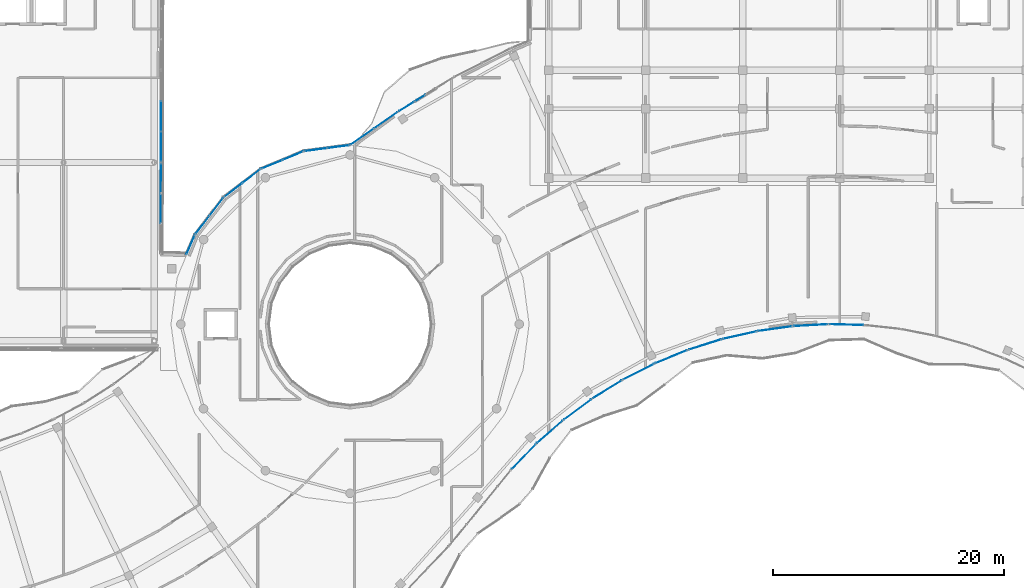
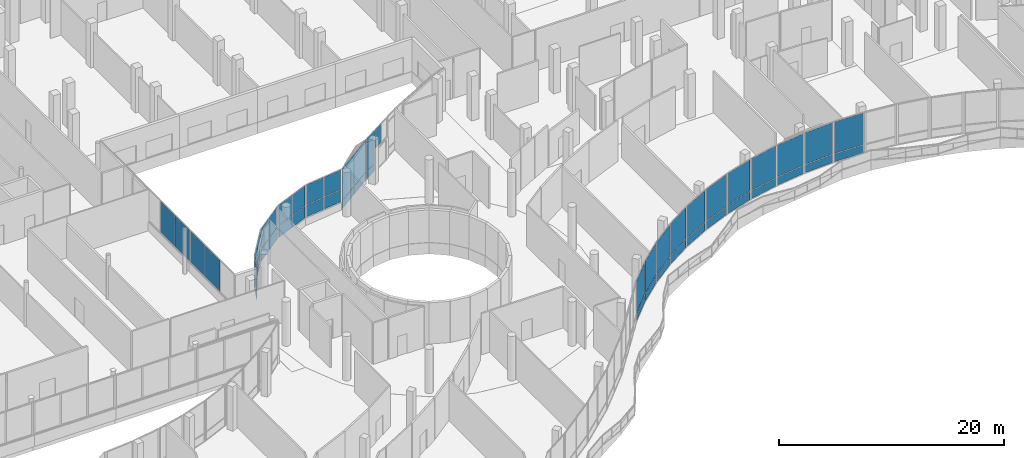
# One storey, part 121 of 155: 52 plates, 21 elements without a shape of their own.
"""IFC4 building model written with IfcOpenShell, lengths in metres."""

from ifc_helpers import new_model, si_unit, direction, frame, origin, origin_2d, place, context, subcontext, project, spatial, rectangle, extrude, material, layer, layer_set, type_object, element, aggregate, save


model = new_model("IFC4")

# Units and contexts
model_context = context("Model", 3, precision=1e-05, world=origin(), true_north=direction((0.0, 1.0)))
body_context = subcontext(model_context, "Body", "Model", "MODEL_VIEW")
ifc_project = project(units=[si_unit("LENGTHUNIT", "METRE"), si_unit("AREAUNIT", "SQUARE_METRE"), si_unit("VOLUMEUNIT", "CUBIC_METRE"), si_unit("PLANEANGLEUNIT", "RADIAN"), si_unit("MASSUNIT", "GRAM", prefix="KILO")], contexts=[model_context])

# Site, building, storey
site_placement = place(None, origin())
site = spatial("IfcSite", under=ifc_project, at=site_placement, CompositionType="ELEMENT")
building_placement = place(site_placement, origin())
building = spatial("IfcBuilding", under=site, at=building_placement, Name="Selatvlak General Hospital", CompositionType="ELEMENT")
storey_placement = place(building_placement, frame((0.0, 0.0, 10.199951171875)))
storey = spatial("IfcBuildingStorey", under=building, at=storey_placement, Name="L02", CompositionType="ELEMENT", Elevation=10.199951171875)

# Curtain wall, plates
ifc_material = material(Name="Solar-control Low-E double glazing", Category="glass")
curtain_wall_type_1 = type_object("IfcCurtainWallType", Name="CW-CW-01", PredefinedType="USERDEFINED", material=ifc_material)
curtain_wall_1_placement = place(storey_placement, origin())
curtain_wall_1 = element("IfcCurtainWall", 1, at=curtain_wall_1_placement, inside=storey, type_object=curtain_wall_type_1, Name="Glazed facade curtain wall CW-L02-0283", ObjectType="UNITISED CURTAIN WALL", PredefinedType="USERDEFINED")
ifc_layer = layer(ifc_material, 0.028076171875, Name="Solar-control Low-E double glazing", Category="glass")
ifc_layer_set = layer_set([ifc_layer], Name="Solar-control Low-E double glazing")
plate_type = type_object("IfcPlateType", Name="CWP-01", PredefinedType="CURTAIN_PANEL", material=ifc_layer_set)
plate_1_placement = place(storey_placement, frame((141.001953125, 53.9541015625, 0.06494140625), z_axis=(0.0, 0.0, 1.0), x_axis=(-0.999616451519, 0.027693859483, 0.0)))
plate_1 = element("IfcPlate", 2, at=plate_1_placement, type_object=plate_type, Name="CW-01 panel 1.1", PredefinedType="CURTAIN_PANEL", context=body_context, shape_type="SweptSolid", body=[
    extrude(rectangle(XDim=2.903076171875, YDim=0.028076171875, at=origin_2d()), origin(), (0.0, 0.0, 1.0), 0.8525390625),
])
plate_2_placement = place(storey_placement, frame((141.001953125, 53.9541015625, 0.982421875), z_axis=(0.0, 0.0, 1.0), x_axis=(-0.999616451519, 0.027693859483, 0.0)))
plate_2 = element("IfcPlate", 3, at=plate_2_placement, type_object=plate_type, Name="CW-01 panel 1.2", PredefinedType="CURTAIN_PANEL", context=body_context, shape_type="SweptSolid", body=[
    extrude(rectangle(XDim=2.903076171875, YDim=0.028076171875, at=origin_2d()), origin(), (0.0, 0.0, 1.0), 3.41259765625),
])
aggregate(curtain_wall_1, [plate_1, plate_2])

curtain_wall_type_2 = type_object("IfcCurtainWallType", Name="CW-CW-02", PredefinedType="USERDEFINED", material=ifc_material)
curtain_wall_2_placement = place(storey_placement, origin())
curtain_wall_2 = element("IfcCurtainWall", 4, at=curtain_wall_2_placement, inside=storey, type_object=curtain_wall_type_2, Name="Glazed facade curtain wall CW-L02-0284", ObjectType="UNITISED CURTAIN WALL", PredefinedType="USERDEFINED")
plate_3_placement = place(storey_placement, frame((137.89453125, 53.908447265625, 0.06494140625), z_axis=(0.0, 0.0, 1.0), x_axis=(-0.998477581672, -0.055159032792, 0.0)))
plate_3 = element("IfcPlate", 5, at=plate_3_placement, type_object=plate_type, Name="CW-02 panel 1.1", PredefinedType="CURTAIN_PANEL", context=body_context, shape_type="SweptSolid", body=[
    extrude(rectangle(XDim=2.897705078125, YDim=0.028076171875, at=origin_2d()), origin(), (0.0, 0.0, 1.0), 0.8525390625),
])
plate_4_placement = place(storey_placement, frame((137.89453125, 53.908447265625, 0.982421875), z_axis=(0.0, 0.0, 1.0), x_axis=(-0.998477581672, -0.055159032792, 0.0)))
plate_4 = element("IfcPlate", 6, at=plate_4_placement, type_object=plate_type, Name="CW-02 panel 1.2", PredefinedType="CURTAIN_PANEL", context=body_context, shape_type="SweptSolid", body=[
    extrude(rectangle(XDim=2.897705078125, YDim=0.028076171875, at=origin_2d()), origin(), (0.0, 0.0, 1.0), 3.41259765625),
])
aggregate(curtain_wall_2, [plate_3, plate_4])

curtain_wall_3_placement = place(storey_placement, origin())
curtain_wall_3 = element("IfcCurtainWall", 7, at=curtain_wall_3_placement, inside=storey, type_object=curtain_wall_type_1, Name="Glazed facade curtain wall CW-L02-0285", ObjectType="UNITISED CURTAIN WALL", PredefinedType="USERDEFINED")
plate_5_placement = place(storey_placement, frame((134.800537109375, 53.60498046875, 0.06494140625), z_axis=(0.0, 0.0, 1.0), x_axis=(-0.990373398315, -0.138421573138, 0.0)))
plate_5 = element("IfcPlate", 8, at=plate_5_placement, type_object=plate_type, Name="CW-01 panel 1.1", PredefinedType="CURTAIN_PANEL", context=body_context, shape_type="SweptSolid", body=[
    extrude(rectangle(XDim=2.904296875, YDim=0.028076171875, at=origin_2d()), origin(), (0.0, 0.0, 1.0), 0.8525390625),
])
plate_6_placement = place(storey_placement, frame((134.800537109375, 53.60498046875, 0.982421875), z_axis=(0.0, 0.0, 1.0), x_axis=(-0.990373398315, -0.138421573138, 0.0)))
plate_6 = element("IfcPlate", 9, at=plate_6_placement, type_object=plate_type, Name="CW-01 panel 1.2", PredefinedType="CURTAIN_PANEL", context=body_context, shape_type="SweptSolid", body=[
    extrude(rectangle(XDim=2.904296875, YDim=0.028076171875, at=origin_2d()), origin(), (0.0, 0.0, 1.0), 3.41259765625),
])
aggregate(curtain_wall_3, [plate_5, plate_6])

curtain_wall_4_placement = place(storey_placement, origin())
curtain_wall_4 = element("IfcCurtainWall", 10, at=curtain_wall_4_placement, inside=storey, type_object=curtain_wall_type_2, Name="Glazed facade curtain wall CW-L02-0286", ObjectType="UNITISED CURTAIN WALL", PredefinedType="USERDEFINED")
plate_7_placement = place(storey_placement, frame((131.739990234375, 53.0458984375, 0.06494140625), z_axis=(0.0, 0.0, 1.0), x_axis=(-0.975577961684, -0.219653455874, 0.0)))
plate_7 = element("IfcPlate", 11, at=plate_7_placement, type_object=plate_type, Name="CW-02 panel 1.1", PredefinedType="CURTAIN_PANEL", context=body_context, shape_type="SweptSolid", body=[
    extrude(rectangle(XDim=2.902099609375, YDim=0.028076171875, at=origin_2d()), origin(), (0.0, 0.0, 1.0), 0.8525390625),
])
plate_8_placement = place(storey_placement, frame((131.739990234375, 53.0458984375, 0.982421875), z_axis=(0.0, 0.0, 1.0), x_axis=(-0.975577961684, -0.219653455874, 0.0)))
plate_8 = element("IfcPlate", 12, at=plate_8_placement, type_object=plate_type, Name="CW-02 panel 1.2", PredefinedType="CURTAIN_PANEL", context=body_context, shape_type="SweptSolid", body=[
    extrude(rectangle(XDim=2.902099609375, YDim=0.028076171875, at=origin_2d()), origin(), (0.0, 0.0, 1.0), 3.41259765625),
])
aggregate(curtain_wall_4, [plate_7, plate_8])

curtain_wall_5_placement = place(storey_placement, origin())
curtain_wall_5 = element("IfcCurtainWall", 13, at=curtain_wall_5_placement, inside=storey, type_object=curtain_wall_type_1, Name="Glazed facade curtain wall CW-L02-0287", ObjectType="UNITISED CURTAIN WALL", PredefinedType="USERDEFINED")
plate_9_placement = place(storey_placement, frame((128.738525390625, 52.236083984375, 0.06494140625), z_axis=(0.0, 0.0, 1.0), x_axis=(-0.953861500511, -0.300246961422, 0.0)))
plate_9 = element("IfcPlate", 14, at=plate_9_placement, type_object=plate_type, Name="CW-01 panel 1.1", PredefinedType="CURTAIN_PANEL", context=body_context, shape_type="SweptSolid", body=[
    extrude(rectangle(XDim=2.90087890625, YDim=0.028076171875, at=origin_2d()), origin(), (0.0, 0.0, 1.0), 0.8525390625),
])
plate_10_placement = place(storey_placement, frame((128.738525390625, 52.236083984375, 0.982421875), z_axis=(0.0, 0.0, 1.0), x_axis=(-0.953861500511, -0.300246961422, 0.0)))
plate_10 = element("IfcPlate", 15, at=plate_10_placement, type_object=plate_type, Name="CW-01 panel 1.2", PredefinedType="CURTAIN_PANEL", context=body_context, shape_type="SweptSolid", body=[
    extrude(rectangle(XDim=2.90087890625, YDim=0.028076171875, at=origin_2d()), origin(), (0.0, 0.0, 1.0), 3.41259765625),
])
aggregate(curtain_wall_5, [plate_9, plate_10])

curtain_wall_6_placement = place(storey_placement, origin())
curtain_wall_6 = element("IfcCurtainWall", 16, at=curtain_wall_6_placement, inside=storey, type_object=curtain_wall_type_2, Name="Glazed facade curtain wall CW-L02-0288", ObjectType="UNITISED CURTAIN WALL", PredefinedType="USERDEFINED")
plate_11_placement = place(storey_placement, frame((125.8154296875, 51.178955078125, 0.06494140625), z_axis=(0.0, 0.0, 1.0), x_axis=(-0.925814669594, -0.377977773903, 0.0)))
plate_11 = element("IfcPlate", 17, at=plate_11_placement, type_object=plate_type, Name="CW-02 panel 1.1", PredefinedType="CURTAIN_PANEL", context=body_context, shape_type="SweptSolid", body=[
    extrude(rectangle(XDim=2.90185546875, YDim=0.028076171875, at=origin_2d()), origin(), (0.0, 0.0, 1.0), 0.8525390625),
])
plate_12_placement = place(storey_placement, frame((125.8154296875, 51.178955078125, 0.982421875), z_axis=(0.0, 0.0, 1.0), x_axis=(-0.925814669594, -0.377977773903, 0.0)))
plate_12 = element("IfcPlate", 18, at=plate_12_placement, type_object=plate_type, Name="CW-02 panel 1.2", PredefinedType="CURTAIN_PANEL", context=body_context, shape_type="SweptSolid", body=[
    extrude(rectangle(XDim=2.90185546875, YDim=0.028076171875, at=origin_2d()), origin(), (0.0, 0.0, 1.0), 3.41259765625),
])
aggregate(curtain_wall_6, [plate_11, plate_12])

curtain_wall_7_placement = place(storey_placement, origin())
curtain_wall_7 = element("IfcCurtainWall", 19, at=curtain_wall_7_placement, inside=storey, type_object=curtain_wall_type_1, Name="Glazed facade curtain wall CW-L02-0289", ObjectType="UNITISED CURTAIN WALL", PredefinedType="USERDEFINED")
plate_13_placement = place(storey_placement, frame((122.987548828125, 49.882568359375, 0.06494140625), z_axis=(0.0, 0.0, 1.0), x_axis=(-0.89144154077, -0.453135718509, 0.0)))
plate_13 = element("IfcPlate", 20, at=plate_13_placement, type_object=plate_type, Name="CW-01 panel 1.1", PredefinedType="CURTAIN_PANEL", context=body_context, shape_type="SweptSolid", body=[
    extrude(rectangle(XDim=2.904296875, YDim=0.028076171875, at=origin_2d()), origin(), (0.0, 0.0, 1.0), 0.8525390625),
])
plate_14_placement = place(storey_placement, frame((122.987548828125, 49.882568359375, 0.982421875), z_axis=(0.0, 0.0, 1.0), x_axis=(-0.89144154077, -0.453135718509, 0.0)))
plate_14 = element("IfcPlate", 21, at=plate_14_placement, type_object=plate_type, Name="CW-01 panel 1.2", PredefinedType="CURTAIN_PANEL", context=body_context, shape_type="SweptSolid", body=[
    extrude(rectangle(XDim=2.904296875, YDim=0.028076171875, at=origin_2d()), origin(), (0.0, 0.0, 1.0), 3.41259765625),
])
aggregate(curtain_wall_7, [plate_13, plate_14])

curtain_wall_8_placement = place(storey_placement, origin())
curtain_wall_8 = element("IfcCurtainWall", 22, at=curtain_wall_8_placement, inside=storey, type_object=curtain_wall_type_2, Name="Glazed facade curtain wall CW-L02-0290", ObjectType="UNITISED CURTAIN WALL", PredefinedType="USERDEFINED")
plate_15_placement = place(storey_placement, frame((120.277587890625, 48.35693359375, 0.06494140625), z_axis=(0.0, 0.0, 1.0), x_axis=(-0.850454986641, -0.526047826435, 0.0)))
plate_15 = element("IfcPlate", 23, at=plate_15_placement, type_object=plate_type, Name="CW-02 panel 1.1", PredefinedType="CURTAIN_PANEL", context=body_context, shape_type="SweptSolid", body=[
    extrude(rectangle(XDim=2.900146484375, YDim=0.028076171875, at=origin_2d()), origin(), (0.0, 0.0, 1.0), 0.8525390625),
])
plate_16_placement = place(storey_placement, frame((120.277587890625, 48.35693359375, 0.982421875), z_axis=(0.0, 0.0, 1.0), x_axis=(-0.850454986641, -0.526047826435, 0.0)))
plate_16 = element("IfcPlate", 24, at=plate_16_placement, type_object=plate_type, Name="CW-02 panel 1.2", PredefinedType="CURTAIN_PANEL", context=body_context, shape_type="SweptSolid", body=[
    extrude(rectangle(XDim=2.900146484375, YDim=0.028076171875, at=origin_2d()), origin(), (0.0, 0.0, 1.0), 3.41259765625),
])
aggregate(curtain_wall_8, [plate_15, plate_16])

curtain_wall_9_placement = place(storey_placement, origin())
curtain_wall_9 = element("IfcCurtainWall", 25, at=curtain_wall_9_placement, inside=storey, type_object=curtain_wall_type_1, Name="Glazed facade curtain wall CW-L02-0291", ObjectType="UNITISED CURTAIN WALL", PredefinedType="USERDEFINED")
plate_17_placement = place(storey_placement, frame((117.705078125, 46.611572265625, 0.06494140625), z_axis=(0.0, 0.0, 1.0), x_axis=(-0.804018477045, -0.594604312607, 0.0)))
plate_17 = element("IfcPlate", 26, at=plate_17_placement, type_object=plate_type, Name="CW-01 panel 1.1", PredefinedType="CURTAIN_PANEL", context=body_context, shape_type="SweptSolid", body=[
    extrude(rectangle(XDim=2.90234375, YDim=0.028076171875, at=origin_2d()), origin(), (0.0, 0.0, 1.0), 0.8525390625),
])
plate_18_placement = place(storey_placement, frame((117.705078125, 46.611572265625, 0.982421875), z_axis=(0.0, 0.0, 1.0), x_axis=(-0.804018477045, -0.594604312607, 0.0)))
plate_18 = element("IfcPlate", 27, at=plate_18_placement, type_object=plate_type, Name="CW-01 panel 1.2", PredefinedType="CURTAIN_PANEL", context=body_context, shape_type="SweptSolid", body=[
    extrude(rectangle(XDim=2.90234375, YDim=0.028076171875, at=origin_2d()), origin(), (0.0, 0.0, 1.0), 3.41259765625),
])
aggregate(curtain_wall_9, [plate_17, plate_18])

curtain_wall_10_placement = place(storey_placement, origin())
curtain_wall_10 = element("IfcCurtainWall", 28, at=curtain_wall_10_placement, inside=storey, type_object=curtain_wall_type_2, Name="Glazed facade curtain wall CW-L02-0292", ObjectType="UNITISED CURTAIN WALL", PredefinedType="USERDEFINED")
plate_19_placement = place(storey_placement, frame((115.284912109375, 44.659423828125, 0.06494140625), z_axis=(0.0, 0.0, 1.0), x_axis=(-0.752249587647, -0.658878257256, 0.0)))
plate_19 = element("IfcPlate", 29, at=plate_19_placement, type_object=plate_type, Name="CW-02 panel 1.1", PredefinedType="CURTAIN_PANEL", context=body_context, shape_type="SweptSolid", body=[
    extrude(rectangle(XDim=2.90087890625, YDim=0.028076171875, at=origin_2d()), origin(), (0.0, 0.0, 1.0), 0.8525390625),
])
plate_20_placement = place(storey_placement, frame((115.284912109375, 44.659423828125, 0.982421875), z_axis=(0.0, 0.0, 1.0), x_axis=(-0.752249587647, -0.658878257256, 0.0)))
plate_20 = element("IfcPlate", 30, at=plate_20_placement, type_object=plate_type, Name="CW-02 panel 1.2", PredefinedType="CURTAIN_PANEL", context=body_context, shape_type="SweptSolid", body=[
    extrude(rectangle(XDim=2.90087890625, YDim=0.028076171875, at=origin_2d()), origin(), (0.0, 0.0, 1.0), 3.41259765625),
])
aggregate(curtain_wall_10, [plate_19, plate_20])

curtain_wall_11_placement = place(storey_placement, origin())
curtain_wall_11 = element("IfcCurtainWall", 31, at=curtain_wall_11_placement, inside=storey, type_object=curtain_wall_type_1, Name="Glazed facade curtain wall CW-L02-0293", ObjectType="UNITISED CURTAIN WALL", PredefinedType="USERDEFINED")
plate_21_placement = place(storey_placement, frame((113.034912109375, 42.512939453125, 0.06494140625), z_axis=(0.0, 0.0, 1.0), x_axis=(-0.694806241805, -0.719196973261, 0.0)))
plate_21 = element("IfcPlate", 32, at=plate_21_placement, type_object=plate_type, Name="CW-01 panel 1.1", PredefinedType="CURTAIN_PANEL", context=body_context, shape_type="SweptSolid", body=[
    extrude(rectangle(XDim=2.904052734375, YDim=0.028076171875, at=origin_2d()), origin(), (0.0, 0.0, 1.0), 0.8525390625),
])
plate_22_placement = place(storey_placement, frame((113.034912109375, 42.512939453125, 0.982421875), z_axis=(0.0, 0.0, 1.0), x_axis=(-0.694806241805, -0.719196973261, 0.0)))
plate_22 = element("IfcPlate", 33, at=plate_22_placement, type_object=plate_type, Name="CW-01 panel 1.2", PredefinedType="CURTAIN_PANEL", context=body_context, shape_type="SweptSolid", body=[
    extrude(rectangle(XDim=2.904052734375, YDim=0.028076171875, at=origin_2d()), origin(), (0.0, 0.0, 1.0), 3.41259765625),
])
aggregate(curtain_wall_11, [plate_21, plate_22])

curtain_wall_type_3 = type_object("IfcCurtainWallType", Name="CW-CW-05", PredefinedType="USERDEFINED", material=ifc_material)
curtain_wall_12_placement = place(storey_placement, origin())
curtain_wall_12 = element("IfcCurtainWall", 34, at=curtain_wall_12_placement, inside=storey, type_object=curtain_wall_type_3, Name="Glazed facade curtain wall CW-L02-0346", ObjectType="STICK GLAZING WALL", PredefinedType="USERDEFINED")
plate_23_placement = place(storey_placement, frame((84.194091796875, 60.87451171875, 0.9150390625), z_axis=(0.0, 0.0, 1.0), x_axis=(0.400399817754, 0.916340540379, 0.0)))
plate_23 = element("IfcPlate", 35, at=plate_23_placement, type_object=plate_type, Name="CW-05 panel 1.1", PredefinedType="CURTAIN_PANEL", context=body_context, shape_type="SweptSolid", body=[
    extrude(rectangle(XDim=1.748046875, YDim=0.028076171875, at=origin_2d()), origin(), (0.0, 0.0, 1.0), 1.282470703125),
])
plate_24_placement = place(storey_placement, frame((84.194091796875, 60.87451171875, 2.2626953125), z_axis=(0.0, 0.0, 1.0), x_axis=(0.400399817754, 0.916340540379, 0.0)))
plate_24 = element("IfcPlate", 36, at=plate_24_placement, type_object=plate_type, Name="CW-05 panel 1.2", PredefinedType="CURTAIN_PANEL", context=body_context, shape_type="SweptSolid", body=[
    extrude(rectangle(XDim=1.748046875, YDim=0.028076171875, at=origin_2d()), origin(), (0.0, 0.0, 1.0), 2.132568359375),
])
aggregate(curtain_wall_12, [plate_23, plate_24])

curtain_wall_type_4 = type_object("IfcCurtainWallType", Name="CW-CW-04", PredefinedType="USERDEFINED", material=ifc_material)
curtain_wall_13_placement = place(storey_placement, origin())
curtain_wall_13 = element("IfcCurtainWall", 37, at=curtain_wall_13_placement, inside=storey, type_object=curtain_wall_type_4, Name="Glazed facade curtain wall CW-L02-0347", ObjectType="STICK GLAZING WALL", PredefinedType="USERDEFINED")
plate_25_placement = place(storey_placement, frame((85.228759765625, 62.600341796875, 0.9150390625), z_axis=(0.0, 0.0, 1.0), x_axis=(0.608918417743, 0.793232853917, 0.0)))
plate_25 = element("IfcPlate", 38, at=plate_25_placement, type_object=plate_type, Name="CW-04 panel 1.1", PredefinedType="CURTAIN_PANEL", context=body_context, shape_type="SweptSolid", body=[
    extrude(rectangle(XDim=1.885498046875, YDim=0.028076171875, at=origin_2d()), origin(), (0.0, 0.0, 1.0), 1.282470703125),
])
plate_26_placement = place(storey_placement, frame((85.228759765625, 62.600341796875, 2.2626953125), z_axis=(0.0, 0.0, 1.0), x_axis=(0.608918417743, 0.793232853917, 0.0)))
plate_26 = element("IfcPlate", 39, at=plate_26_placement, type_object=plate_type, Name="CW-04 panel 1.2", PredefinedType="CURTAIN_PANEL", context=body_context, shape_type="SweptSolid", body=[
    extrude(rectangle(XDim=1.885498046875, YDim=0.028076171875, at=origin_2d()), origin(), (0.0, 0.0, 1.0), 2.132568359375),
])
plate_27_placement = place(storey_placement, frame((86.416259765625, 64.147705078125, 0.9150390625), z_axis=(0.0, 0.0, 1.0), x_axis=(0.608918417743, 0.793232853917, 0.0)))
plate_27 = element("IfcPlate", 40, at=plate_27_placement, type_object=plate_type, Name="CW-04 panel 2.1", PredefinedType="CURTAIN_PANEL", context=body_context, shape_type="SweptSolid", body=[
    extrude(rectangle(XDim=1.885498046875, YDim=0.028076171875, at=origin_2d()), origin(), (0.0, 0.0, 1.0), 1.282470703125),
])
plate_28_placement = place(storey_placement, frame((86.416259765625, 64.147705078125, 2.2626953125), z_axis=(0.0, 0.0, 1.0), x_axis=(0.608918417743, 0.793232853917, 0.0)))
plate_28 = element("IfcPlate", 41, at=plate_28_placement, type_object=plate_type, Name="CW-04 panel 2.2", PredefinedType="CURTAIN_PANEL", context=body_context, shape_type="SweptSolid", body=[
    extrude(rectangle(XDim=1.885498046875, YDim=0.028076171875, at=origin_2d()), origin(), (0.0, 0.0, 1.0), 2.132568359375),
])
aggregate(curtain_wall_13, [plate_25, plate_26, plate_27, plate_28])

curtain_wall_14_placement = place(storey_placement, origin())
curtain_wall_14 = element("IfcCurtainWall", 42, at=curtain_wall_14_placement, inside=storey, type_object=curtain_wall_type_3, Name="Glazed facade curtain wall CW-L02-0348", ObjectType="STICK GLAZING WALL", PredefinedType="USERDEFINED")
plate_29_placement = place(storey_placement, frame((87.890380859375, 65.611572265625, 0.9150390625), z_axis=(0.0, 0.0, 1.0), x_axis=(0.793232853917, 0.608918417743, 0.0)))
plate_29 = element("IfcPlate", 43, at=plate_29_placement, type_object=plate_type, Name="CW-05 panel 1.1", PredefinedType="CURTAIN_PANEL", context=body_context, shape_type="SweptSolid", body=[
    extrude(rectangle(XDim=1.885498046875, YDim=0.028076171875, at=origin_2d()), origin(), (0.0, 0.0, 1.0), 1.282470703125),
])
plate_30_placement = place(storey_placement, frame((87.890380859375, 65.611572265625, 2.2626953125), z_axis=(0.0, 0.0, 1.0), x_axis=(0.793232853917, 0.608918417743, 0.0)))
plate_30 = element("IfcPlate", 44, at=plate_30_placement, type_object=plate_type, Name="CW-05 panel 1.2", PredefinedType="CURTAIN_PANEL", context=body_context, shape_type="SweptSolid", body=[
    extrude(rectangle(XDim=1.885498046875, YDim=0.028076171875, at=origin_2d()), origin(), (0.0, 0.0, 1.0), 2.132568359375),
])
plate_31_placement = place(storey_placement, frame((89.4375, 66.79931640625, 0.9150390625), z_axis=(0.0, 0.0, 1.0), x_axis=(0.793232853917, 0.608918417743, 0.0)))
plate_31 = element("IfcPlate", 45, at=plate_31_placement, type_object=plate_type, Name="CW-05 panel 2.1", PredefinedType="CURTAIN_PANEL", context=body_context, shape_type="SweptSolid", body=[
    extrude(rectangle(XDim=1.885498046875, YDim=0.028076171875, at=origin_2d()), origin(), (0.0, 0.0, 1.0), 1.282470703125),
])
plate_32_placement = place(storey_placement, frame((89.4375, 66.79931640625, 2.2626953125), z_axis=(0.0, 0.0, 1.0), x_axis=(0.793232853917, 0.608918417743, 0.0)))
plate_32 = element("IfcPlate", 46, at=plate_32_placement, type_object=plate_type, Name="CW-05 panel 2.2", PredefinedType="CURTAIN_PANEL", context=body_context, shape_type="SweptSolid", body=[
    extrude(rectangle(XDim=1.885498046875, YDim=0.028076171875, at=origin_2d()), origin(), (0.0, 0.0, 1.0), 2.132568359375),
])
aggregate(curtain_wall_14, [plate_29, plate_30, plate_31, plate_32])

curtain_wall_15_placement = place(storey_placement, origin())
curtain_wall_15 = element("IfcCurtainWall", 47, at=curtain_wall_15_placement, inside=storey, type_object=curtain_wall_type_4, Name="Glazed facade curtain wall CW-L02-0349", ObjectType="STICK GLAZING WALL", PredefinedType="USERDEFINED")
plate_33_placement = place(storey_placement, frame((91.239990234375, 67.832763671875, 0.9150390625), z_axis=(0.0, 0.0, 1.0), x_axis=(0.923850868847, 0.382752625243, 0.0)))
plate_33 = element("IfcPlate", 48, at=plate_33_placement, type_object=plate_type, Name="CW-04 panel 1.1", PredefinedType="CURTAIN_PANEL", context=body_context, shape_type="SweptSolid", body=[
    extrude(rectangle(XDim=1.885498046875, YDim=0.028076171875, at=origin_2d()), origin(), (0.0, 0.0, 1.0), 1.282470703125),
])
plate_34_placement = place(storey_placement, frame((91.239990234375, 67.832763671875, 2.2626953125), z_axis=(0.0, 0.0, 1.0), x_axis=(0.923850868847, 0.382752625243, 0.0)))
plate_34 = element("IfcPlate", 49, at=plate_34_placement, type_object=plate_type, Name="CW-04 panel 1.2", PredefinedType="CURTAIN_PANEL", context=body_context, shape_type="SweptSolid", body=[
    extrude(rectangle(XDim=1.885498046875, YDim=0.028076171875, at=origin_2d()), origin(), (0.0, 0.0, 1.0), 2.132568359375),
])
plate_35_placement = place(storey_placement, frame((93.0419921875, 68.579345703125, 0.9150390625), z_axis=(0.0, 0.0, 1.0), x_axis=(0.923850868847, 0.382752625243, 0.0)))
plate_35 = element("IfcPlate", 50, at=plate_35_placement, type_object=plate_type, Name="CW-04 panel 2.1", PredefinedType="CURTAIN_PANEL", context=body_context, shape_type="SweptSolid", body=[
    extrude(rectangle(XDim=1.885498046875, YDim=0.028076171875, at=origin_2d()), origin(), (0.0, 0.0, 1.0), 1.282470703125),
])
plate_36_placement = place(storey_placement, frame((93.0419921875, 68.579345703125, 2.2626953125), z_axis=(0.0, 0.0, 1.0), x_axis=(0.923850868847, 0.382752625243, 0.0)))
plate_36 = element("IfcPlate", 51, at=plate_36_placement, type_object=plate_type, Name="CW-04 panel 2.2", PredefinedType="CURTAIN_PANEL", context=body_context, shape_type="SweptSolid", body=[
    extrude(rectangle(XDim=1.885498046875, YDim=0.028076171875, at=origin_2d()), origin(), (0.0, 0.0, 1.0), 2.132568359375),
])
aggregate(curtain_wall_15, [plate_33, plate_34, plate_35, plate_36])

curtain_wall_16_placement = place(storey_placement, origin())
curtain_wall_16 = element("IfcCurtainWall", 52, at=curtain_wall_16_placement, inside=storey, type_object=curtain_wall_type_3, Name="Glazed facade curtain wall CW-L02-0350", ObjectType="STICK GLAZING WALL", PredefinedType="USERDEFINED")
plate_37_placement = place(storey_placement, frame((95.051025390625, 69.111572265625, 0.9150390625), z_axis=(0.0, 0.0, 1.0), x_axis=(0.991433685916, 0.130611050186, 0.0)))
plate_37 = element("IfcPlate", 53, at=plate_37_placement, type_object=plate_type, Name="CW-05 panel 1.1", PredefinedType="CURTAIN_PANEL", context=body_context, shape_type="SweptSolid", body=[
    extrude(rectangle(XDim=1.885498046875, YDim=0.028076171875, at=origin_2d()), origin(), (0.0, 0.0, 1.0), 1.282470703125),
])
plate_38_placement = place(storey_placement, frame((95.051025390625, 69.111572265625, 2.2626953125), z_axis=(0.0, 0.0, 1.0), x_axis=(0.991433685916, 0.130611050186, 0.0)))
plate_38 = element("IfcPlate", 54, at=plate_38_placement, type_object=plate_type, Name="CW-05 panel 1.2", PredefinedType="CURTAIN_PANEL", context=body_context, shape_type="SweptSolid", body=[
    extrude(rectangle(XDim=1.885498046875, YDim=0.028076171875, at=origin_2d()), origin(), (0.0, 0.0, 1.0), 2.132568359375),
])
plate_39_placement = place(storey_placement, frame((96.98486328125, 69.366455078125, 0.9150390625), z_axis=(0.0, 0.0, 1.0), x_axis=(0.991433685916, 0.130611050186, 0.0)))
plate_39 = element("IfcPlate", 55, at=plate_39_placement, type_object=plate_type, Name="CW-05 panel 2.1", PredefinedType="CURTAIN_PANEL", context=body_context, shape_type="SweptSolid", body=[
    extrude(rectangle(XDim=1.885498046875, YDim=0.028076171875, at=origin_2d()), origin(), (0.0, 0.0, 1.0), 1.282470703125),
])
plate_40_placement = place(storey_placement, frame((96.98486328125, 69.366455078125, 2.2626953125), z_axis=(0.0, 0.0, 1.0), x_axis=(0.991433685916, 0.130611050186, 0.0)))
plate_40 = element("IfcPlate", 56, at=plate_40_placement, type_object=plate_type, Name="CW-05 panel 2.2", PredefinedType="CURTAIN_PANEL", context=body_context, shape_type="SweptSolid", body=[
    extrude(rectangle(XDim=1.885498046875, YDim=0.028076171875, at=origin_2d()), origin(), (0.0, 0.0, 1.0), 2.132568359375),
])
aggregate(curtain_wall_16, [plate_37, plate_38, plate_39, plate_40])

curtain_wall_17_placement = place(storey_placement, origin())
curtain_wall_17 = element("IfcCurtainWall", 57, at=curtain_wall_17_placement, inside=storey, type_object=curtain_wall_type_1, Name="Glazed facade curtain wall CW-L02-0351", ObjectType="UNITISED CURTAIN WALL", PredefinedType="USERDEFINED")
plate_41_placement = place(storey_placement, frame((99.056396484375, 70.236328125, 0.06494140625), z_axis=(0.0, 0.0, 1.0), x_axis=(0.820872775723, 0.571111097841, 0.0)))
plate_41 = element("IfcPlate", 58, at=plate_41_placement, type_object=plate_type, Name="CW-01 panel 1.1", PredefinedType="CURTAIN_PANEL", context=body_context, shape_type="SweptSolid", body=[
    extrude(rectangle(XDim=2.4169921875, YDim=0.028076171875, at=origin_2d()), origin(), (0.0, 0.0, 1.0), 0.8525390625),
])
plate_42_placement = place(storey_placement, frame((99.056396484375, 70.236328125, 0.982421875), z_axis=(0.0, 0.0, 1.0), x_axis=(0.820872775723, 0.571111097841, 0.0)))
plate_42 = element("IfcPlate", 59, at=plate_42_placement, type_object=plate_type, Name="CW-01 panel 1.2", PredefinedType="CURTAIN_PANEL", context=body_context, shape_type="SweptSolid", body=[
    extrude(rectangle(XDim=2.4169921875, YDim=0.028076171875, at=origin_2d()), origin(), (0.0, 0.0, 1.0), 3.41259765625),
])
plate_43_placement = place(storey_placement, frame((101.09375, 71.65380859375, 0.06494140625), z_axis=(0.0, 0.0, 1.0), x_axis=(0.820872775723, 0.571111097841, 0.0)))
plate_43 = element("IfcPlate", 60, at=plate_43_placement, type_object=plate_type, Name="CW-01 panel 2.1", PredefinedType="CURTAIN_PANEL", context=body_context, shape_type="SweptSolid", body=[
    extrude(rectangle(XDim=2.4169921875, YDim=0.028076171875, at=origin_2d()), origin(), (0.0, 0.0, 1.0), 0.8525390625),
])
plate_44_placement = place(storey_placement, frame((101.09375, 71.65380859375, 0.982421875), z_axis=(0.0, 0.0, 1.0), x_axis=(0.820872775723, 0.571111097841, 0.0)))
plate_44 = element("IfcPlate", 61, at=plate_44_placement, type_object=plate_type, Name="CW-01 panel 2.2", PredefinedType="CURTAIN_PANEL", context=body_context, shape_type="SweptSolid", body=[
    extrude(rectangle(XDim=2.4169921875, YDim=0.028076171875, at=origin_2d()), origin(), (0.0, 0.0, 1.0), 3.41259765625),
])
aggregate(curtain_wall_17, [plate_41, plate_42, plate_43, plate_44])

# Curtain wall, plate
curtain_wall_18_placement = place(storey_placement, origin())
curtain_wall_18 = element("IfcCurtainWall", 62, at=curtain_wall_18_placement, inside=storey, type_object=curtain_wall_type_2, Name="Glazed facade curtain wall CW-L02-0352", ObjectType="UNITISED CURTAIN WALL", PredefinedType="USERDEFINED")
plate_45_placement = place(storey_placement, frame((104.0654296875, 73.572998046875, 2.38525390625), z_axis=(0.0, 0.0, 1.0), x_axis=(0.850415359562, 0.526111885649, 0.0)))
plate_45 = element("IfcPlate", 63, at=plate_45_placement, type_object=plate_type, Name="CW-02 panel 1.1", PredefinedType="CURTAIN_PANEL", context=body_context, shape_type="SweptSolid", body=[
    extrude(rectangle(XDim=1.037353515625, YDim=0.028076171875, at=origin_2d()), origin(), (0.0, 0.0, 1.0), 2.010009765625),
])
aggregate(curtain_wall_18, [plate_45])

# Curtain wall, plates
curtain_wall_19_placement = place(storey_placement, origin())
curtain_wall_19 = element("IfcCurtainWall", 64, at=curtain_wall_19_placement, inside=storey, type_object=curtain_wall_type_1, Name="Glazed facade curtain wall CW-L02-0353", ObjectType="UNITISED CURTAIN WALL", PredefinedType="USERDEFINED")
plate_46_placement = place(storey_placement, frame((102.875, 72.8369140625, 0.06494140625), z_axis=(0.0, 0.0, 1.0), x_axis=(0.850563504569, 0.525872346387, 0.0)))
plate_46 = element("IfcPlate", 65, at=plate_46_placement, type_object=plate_type, Name="CW-01 panel 1.1", PredefinedType="CURTAIN_PANEL", context=body_context, shape_type="SweptSolid", body=[
    extrude(rectangle(XDim=1.440673828125, YDim=0.028076171875, at=origin_2d()), origin(), (0.0, 0.0, 1.0), 0.802490234375),
])
plate_47_placement = place(storey_placement, frame((102.875, 72.8369140625, 0.9326171875), z_axis=(0.0, 0.0, 1.0), x_axis=(0.850563504569, 0.525872346387, 0.0)))
plate_47 = element("IfcPlate", 66, at=plate_47_placement, type_object=plate_type, Name="CW-01 panel 1.2", PredefinedType="CURTAIN_PANEL", context=body_context, shape_type="SweptSolid", body=[
    extrude(rectangle(XDim=1.440673828125, YDim=0.028076171875, at=origin_2d()), origin(), (0.0, 0.0, 1.0), 2.844970703125),
])
plate_48_placement = place(storey_placement, frame((102.875, 72.8369140625, 3.8427734375), z_axis=(0.0, 0.0, 1.0), x_axis=(0.850563504569, 0.525872346387, 0.0)))
plate_48 = element("IfcPlate", 67, at=plate_48_placement, type_object=plate_type, Name="CW-01 panel 1.3", PredefinedType="CURTAIN_PANEL", context=body_context, shape_type="SweptSolid", body=[
    extrude(rectangle(XDim=1.440673828125, YDim=0.028076171875, at=origin_2d()), origin(), (0.0, 0.0, 1.0), 0.552490234375),
])
aggregate(curtain_wall_19, [plate_46, plate_47, plate_48])

curtain_wall_20_placement = place(storey_placement, origin())
curtain_wall_20 = element("IfcCurtainWall", 68, at=curtain_wall_20_placement, inside=storey, type_object=curtain_wall_type_1, Name="Glazed facade curtain wall CW-L02-0358", ObjectType="UNITISED CURTAIN WALL", PredefinedType="USERDEFINED")
plate_49_placement = place(storey_placement, frame((81.6298828125, 72.0048828125, 1.0048828125), z_axis=(0.0, 0.0, 1.0), x_axis=(-0.002531637448, -0.999996795401, 0.0)))
plate_49 = element("IfcPlate", 69, at=plate_49_placement, type_object=plate_type, Name="CW-01 panel 2.1", PredefinedType="CURTAIN_PANEL", context=body_context, shape_type="SweptSolid", body=[
    extrude(rectangle(XDim=2.568359375, YDim=0.028076171875, at=origin_2d()), origin(), (0.0, 0.0, 1.0), 3.389892578125),
])
plate_50_placement = place(storey_placement, frame((81.623291015625, 69.387939453125, 1.0048828125), z_axis=(0.0, 0.0, 1.0), x_axis=(-0.002531637448, -0.999996795401, 0.0)))
plate_50 = element("IfcPlate", 70, at=plate_50_placement, type_object=plate_type, Name="CW-01 panel 3.1", PredefinedType="CURTAIN_PANEL", context=body_context, shape_type="SweptSolid", body=[
    extrude(rectangle(XDim=2.535888671875, YDim=0.028076171875, at=origin_2d()), origin(), (0.0, 0.0, 1.0), 3.389892578125),
])
aggregate(curtain_wall_20, [plate_49, plate_50])

curtain_wall_21_placement = place(storey_placement, origin())
curtain_wall_21 = element("IfcCurtainWall", 71, at=curtain_wall_21_placement, inside=storey, type_object=curtain_wall_type_2, Name="Glazed facade curtain wall CW-L02-0359", ObjectType="UNITISED CURTAIN WALL", PredefinedType="USERDEFINED")
plate_51_placement = place(storey_placement, frame((81.61669921875, 66.64208984375, 1.0048828125), z_axis=(0.0, 0.0, 1.0), x_axis=(-0.002531637448, -0.999996795401, 0.0)))
plate_51 = element("IfcPlate", 72, at=plate_51_placement, type_object=plate_type, Name="CW-02 panel 1.1", PredefinedType="CURTAIN_PANEL", context=body_context, shape_type="SweptSolid", body=[
    extrude(rectangle(XDim=2.535888671875, YDim=0.028076171875, at=origin_2d()), origin(), (0.0, 0.0, 1.0), 3.389892578125),
])
plate_52_placement = place(storey_placement, frame((81.610107421875, 64.02490234375, 1.0048828125), z_axis=(0.0, 0.0, 1.0), x_axis=(-0.002531637448, -0.999996795401, 0.0)))
plate_52 = element("IfcPlate", 73, at=plate_52_placement, type_object=plate_type, Name="CW-02 panel 2.1", PredefinedType="CURTAIN_PANEL", context=body_context, shape_type="SweptSolid", body=[
    extrude(rectangle(XDim=2.568359375, YDim=0.028076171875, at=origin_2d()), origin(), (0.0, 0.0, 1.0), 3.389892578125),
])
aggregate(curtain_wall_21, [plate_51, plate_52])

save(model, "model.ifc")
